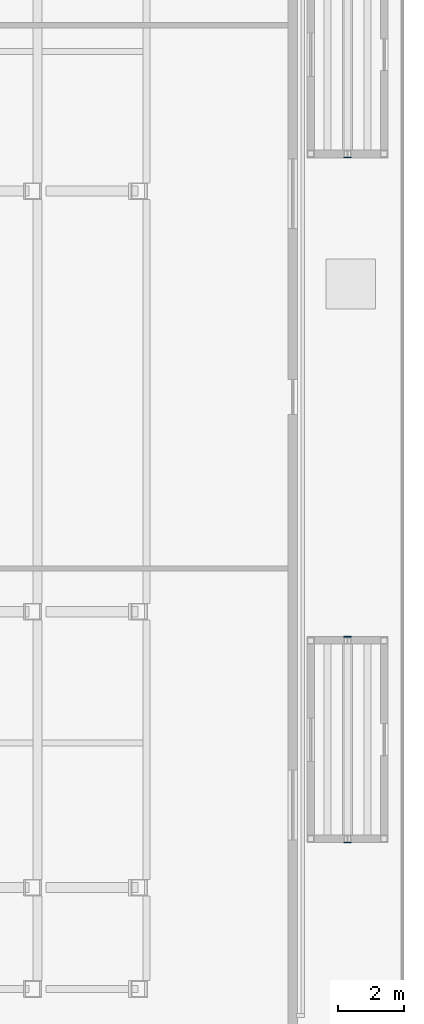
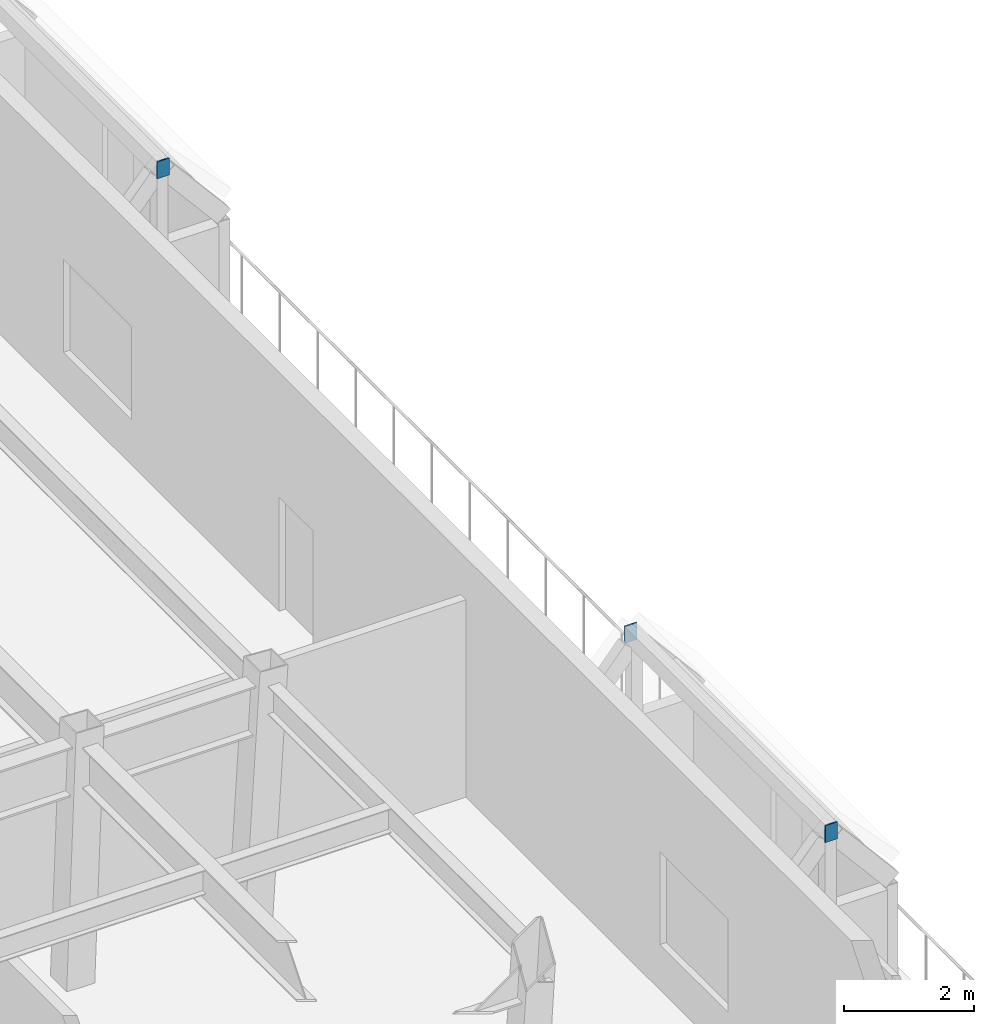
# One storey, part 8 of 18: 3 plates.
"""IFC4 building model written with IfcOpenShell, lengths in metres."""

from ifc_helpers import new_model, si_unit, direction, frame, origin, origin_2d, place, context, subcontext, project, spatial, rectangle, extrude, material, layer, layer_set, type_object, element, save


model = new_model("IFC4")

# Units and contexts
model_context = context("Model", 3, precision=1e-05, world=origin(), true_north=direction((0.0, 1.0)))
body_context = subcontext(model_context, "Body", "Model", "MODEL_VIEW")
ifc_project = project(units=[si_unit("LENGTHUNIT", "METRE"), si_unit("AREAUNIT", "SQUARE_METRE"), si_unit("VOLUMEUNIT", "CUBIC_METRE"), si_unit("PLANEANGLEUNIT", "RADIAN"), si_unit("MASSUNIT", "GRAM", prefix="KILO")], contexts=[model_context])

# Site, building, storey
site_placement = place(None, origin())
site = spatial("IfcSite", under=ifc_project, at=site_placement, CompositionType="ELEMENT")
building_placement = place(site_placement, origin())
building = spatial("IfcBuilding", under=site, at=building_placement, Name="Ochreholt Gables", CompositionType="ELEMENT")
storey_placement = place(building_placement, frame((0.0, 0.0, 19.199951171875)))
storey = spatial("IfcBuildingStorey", under=building, at=storey_placement, Name="L04", CompositionType="ELEMENT", Elevation=19.199951171875)

# Plates
ifc_material = material(Name="Steel CSA G40.21 350W", Category="steel")
ifc_layer = layer(ifc_material, 0.02490234375, Name="Steel CSA G40.21 350W")
ifc_layer_set = layer_set([ifc_layer], Name="Steel CSA G40.21 350W")
plate_type = type_object("IfcPlateType", Name="PL-ECP", PredefinedType="USERDEFINED", material=ifc_layer_set)
for number, where, z_axis, x_axis, name in (
    (1, (50.10009765625, 10.60791015625, 3.50439453125), (0.0, 0.0, 1.0), (1.0, 0.0, 0.0), "L04 Gable Ridge Welded End Cap Plate GB-04E1-S"),
    (2, (50.10009765625, 16.7919921875, 3.50439453125), (0.0, 0.0, 1.0), (1.0, 0.0, 0.0), "L04 Gable Ridge Welded End Cap Plate GB-04E1-N"),
    (3, (50.10009765625, 31.2080078125, 3.50439453125), (0.0, 0.0, 1.0), (1.0, 0.0, 0.0), "L04 Gable Ridge Welded End Cap Plate GB-04E2-S"),
):
    element("IfcPlate", number, at=place(storey_placement, frame(where, z_axis=z_axis, x_axis=x_axis)), inside=storey, type_object=plate_type, Name=name, ObjectType="END CAP PLATE", PredefinedType="USERDEFINED", context=body_context, shape_type="SweptSolid", body=[
        extrude(rectangle(XDim=0.219970703125, YDim=0.02490234375, at=origin_2d()), origin(), (0.0, 0.0, 1.0), 0.320068359375),
    ])

save(model, "model.ifc")
